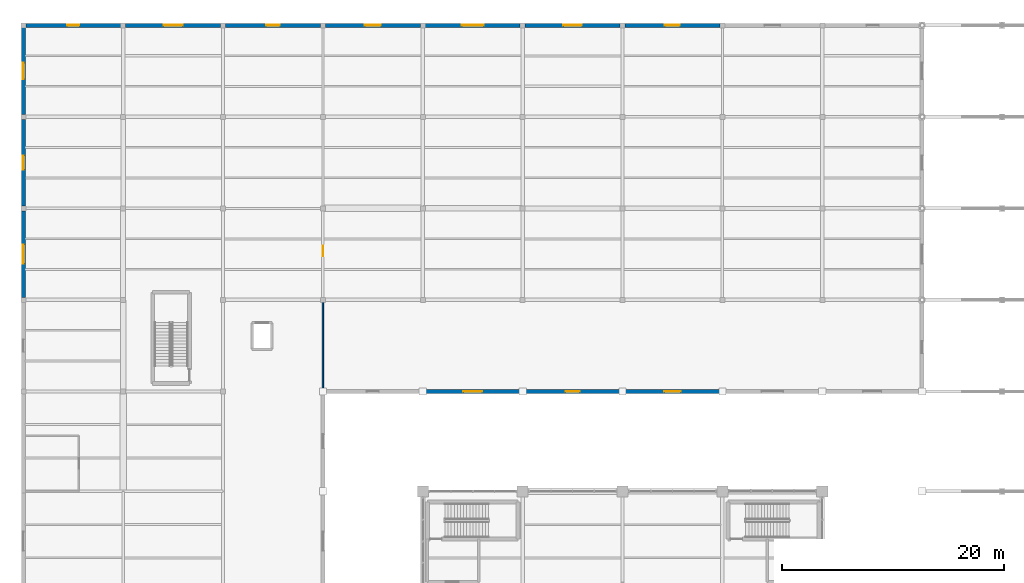
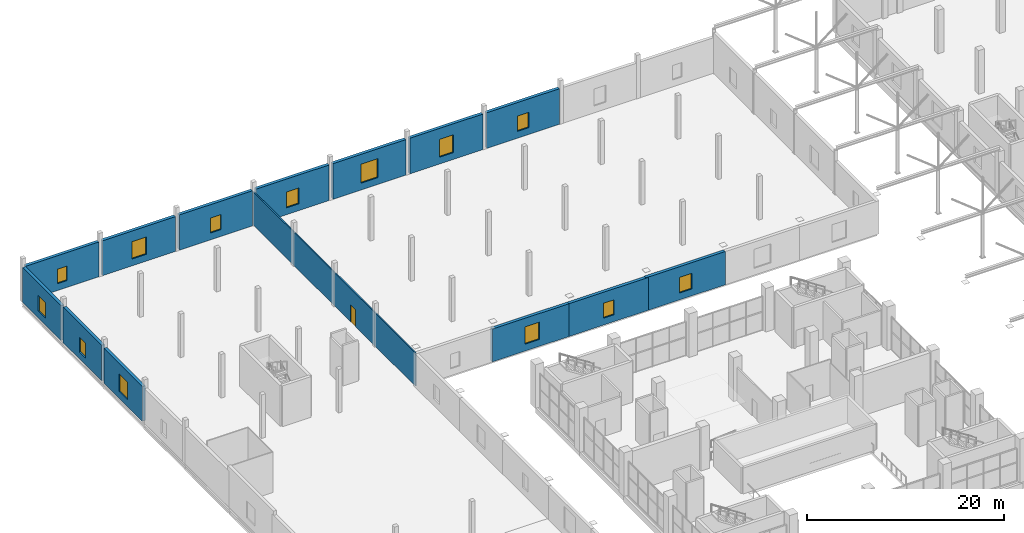
# One storey, part 132 of 147: 14 walls, 13 windows, 1 door, 14 openings.
"""IFC4 building model written with IfcOpenShell, lengths in metres."""

from ifc_helpers import new_model, si_unit, direction, frame, frame_2d, origin, place, context, subcontext, project, spatial, rectangle, extrude, material, layer, layer_set, type_object, element, fill, save


model = new_model("IFC4")

# Units and contexts
model_context = context("Model", 3, precision=1e-05, world=origin(), true_north=direction((0.0, 1.0)))
body_context = subcontext(model_context, "Body", "Model", "MODEL_VIEW")
ifc_project = project(units=[si_unit("LENGTHUNIT", "METRE"), si_unit("AREAUNIT", "SQUARE_METRE"), si_unit("VOLUMEUNIT", "CUBIC_METRE"), si_unit("PLANEANGLEUNIT", "RADIAN"), si_unit("MASSUNIT", "GRAM", prefix="KILO")], contexts=[model_context])

# Site, building, storey
site_placement = place(None, origin())
site = spatial("IfcSite", under=ifc_project, at=site_placement, CompositionType="ELEMENT")
building_placement = place(site_placement, origin())
building = spatial("IfcBuilding", under=site, at=building_placement, Name="Sundgate Opera House", CompositionType="ELEMENT")
storey_placement = place(building_placement, frame((0.0, 0.0, 6.0)))
storey = spatial("IfcBuildingStorey", under=building, at=storey_placement, Name="L01", CompositionType="ELEMENT", Elevation=6.0)

# Wall, opening, window
ifc_material_1 = material(Name="Scanian red-brown facing brick masonry", Category="masonry")
ifc_layer_1 = layer(ifc_material_1, 0.360107421875)
ifc_layer_set_1 = layer_set([ifc_layer_1], Name="Scanian red-brown facing brick masonry")
wall_type_1 = type_object("IfcWallType", Name="WL-EXT-BRICK-360", PredefinedType="SOLIDWALL", material=ifc_layer_set_1)
wall_1_placement = place(storey_placement, frame((0.219970703125, 120.0, 0.0), z_axis=(0.0, 0.0, 1.0), x_axis=(1.0, 0.0, 0.0)))
wall_1 = element("IfcWall", 1, at=wall_1_placement, inside=storey, type_object=wall_type_1, Name="L01 Costume Wing North Wall W0376", PredefinedType="SOLIDWALL", context=body_context, shape_type="SweptSolid", body=[
    extrude(rectangle(XDim=8.56005859375, YDim=0.360107421875, at=frame_2d((4.280029296875, 0.0))), origin(), (0.0, 0.0, 1.0), 4.31494140625),
])
opening_1_placement = place(wall_1_placement, frame((3.72998046875, 0.0, 0.85009765625)))
opening_1 = element("IfcOpeningElement", 2, at=opening_1_placement, cuts=wall_1, Name="Opening W12", PredefinedType="OPENING", context=body_context, shape_type="SweptSolid", body=[
    extrude(rectangle(XDim=1.10009765625, YDim=1.800048828125, at=frame_2d((0.550048828125, 0.89990234375))), frame((0.0, 0.18994140625, 0.0), z_axis=(0.0, -1.0, 0.0), x_axis=(1.0, 0.0, 0.0)), (0.0, 0.0, 1.0), 0.380126953125),
])
ifc_material_2 = material(Name="Low-iron triple glazing in patinated bronze frame", Category="glass")
window_type_1 = type_object("IfcWindowType", Name="WN-STAGE-1100x1800", PartitioningType="SINGLE_PANEL", PredefinedType="WINDOW", material=ifc_material_2)
window_1_placement = place(opening_1_placement, origin())
window_1 = element("IfcWindow", 3, at=window_1_placement, inside=storey, type_object=window_type_1, Name="L01 Costume Pavilion Window WN0290", OverallHeight=1.800048828125, OverallWidth=1.10009765625, PartitioningType="SINGLE_PANEL", PredefinedType="WINDOW", context=body_context, shape_type="SweptSolid", body=[
    extrude(rectangle(XDim=1.10009765625, YDim=1.800048828125, at=frame_2d((0.550048828125, 0.89990234375))), frame((0.0, 0.030029296875, 0.0), z_axis=(0.0, -1.0, 0.0), x_axis=(1.0, 0.0, 0.0)), (0.0, 0.0, 1.0), 0.06005859375),
])
fill(opening_1, window_1)

wall_2_placement = place(storey_placement, frame((9.219970703125, 120.0, 0.0), z_axis=(0.0, 0.0, 1.0), x_axis=(1.0, 0.0, 0.0)))
wall_2 = element("IfcWall", 4, at=wall_2_placement, inside=storey, type_object=wall_type_1, Name="L01 Costume Wing North Wall W0377", PredefinedType="SOLIDWALL", context=body_context, shape_type="SweptSolid", body=[
    extrude(rectangle(XDim=8.56005859375, YDim=0.360107421875, at=frame_2d((4.280029296875, 0.0))), origin(), (0.0, 0.0, 1.0), 4.31494140625),
])
opening_2_placement = place(wall_2_placement, frame((3.429931640625, 0.0, 0.85009765625)))
opening_2 = element("IfcOpeningElement", 5, at=opening_2_placement, cuts=wall_2, Name="Opening W13", PredefinedType="OPENING", context=body_context, shape_type="SweptSolid", body=[
    extrude(rectangle(XDim=1.699951171875, YDim=2.14990234375, at=frame_2d((0.85009765625, 1.074951171875))), frame((0.0, 0.18994140625, 0.0), z_axis=(0.0, -1.0, 0.0), x_axis=(1.0, 0.0, 0.0)), (0.0, 0.0, 1.0), 0.380126953125),
])
ifc_material_3 = material(Name="Low-iron triple glazing in patinated bronze frame", Category="glass")
window_type_2 = type_object("IfcWindowType", Name="WN-GALL-1700x2150", PartitioningType="SINGLE_PANEL", PredefinedType="WINDOW", material=ifc_material_3)
window_2_placement = place(opening_2_placement, origin())
window_2 = element("IfcWindow", 6, at=window_2_placement, inside=storey, type_object=window_type_2, Name="L01 Costume Pavilion Window WN0291", OverallHeight=2.14990234375, OverallWidth=1.699951171875, PartitioningType="SINGLE_PANEL", PredefinedType="WINDOW", context=body_context, shape_type="SweptSolid", body=[
    extrude(rectangle(XDim=1.699951171875, YDim=2.14990234375, at=frame_2d((0.85009765625, 1.074951171875))), frame((0.0, 0.030029296875, 0.0), z_axis=(0.0, -1.0, 0.0), x_axis=(1.0, 0.0, 0.0)), (0.0, 0.0, 1.0), 0.06005859375),
])
fill(opening_2, window_2)

wall_3_placement = place(storey_placement, frame((18.219970703125, 120.0, 0.0), z_axis=(0.0, 0.0, 1.0), x_axis=(1.0, 0.0, 0.0)))
wall_3 = element("IfcWall", 7, at=wall_3_placement, inside=storey, type_object=wall_type_1, Name="L01 Costume Wing North Wall W0378", PredefinedType="SOLIDWALL", context=body_context, shape_type="SweptSolid", body=[
    extrude(rectangle(XDim=8.56005859375, YDim=0.360107421875, at=frame_2d((4.280029296875, 0.0))), origin(), (0.0, 0.0, 1.0), 4.364990234375),
])
opening_3_placement = place(wall_3_placement, frame((3.655029296875, 0.0, 0.85009765625)))
opening_3 = element("IfcOpeningElement", 8, at=opening_3_placement, cuts=wall_3, Name="Opening W14", PredefinedType="OPENING", context=body_context, shape_type="SweptSolid", body=[
    extrude(rectangle(XDim=1.25, YDim=1.85009765625, at=frame_2d((0.625, 0.925048828125))), frame((0.0, 0.18994140625, 0.0), z_axis=(0.0, -1.0, 0.0), x_axis=(1.0, 0.0, 0.0)), (0.0, 0.0, 1.0), 0.380126953125),
])
ifc_material_4 = material(Name="Low-iron triple glazing in patinated bronze frame", Category="glass")
window_type_3 = type_object("IfcWindowType", Name="WN-DRES-1250x1850", PartitioningType="SINGLE_PANEL", PredefinedType="WINDOW", material=ifc_material_4)
window_3_placement = place(opening_3_placement, origin())
window_3 = element("IfcWindow", 9, at=window_3_placement, inside=storey, type_object=window_type_3, Name="L01 Costume Pavilion Window WN0292", OverallHeight=1.85009765625, OverallWidth=1.25, PartitioningType="SINGLE_PANEL", PredefinedType="WINDOW", context=body_context, shape_type="SweptSolid", body=[
    extrude(rectangle(XDim=1.25, YDim=1.85009765625, at=frame_2d((0.625, 0.925048828125))), frame((0.0, 0.030029296875, 0.0), z_axis=(0.0, -1.0, 0.0), x_axis=(1.0, 0.0, 0.0)), (0.0, 0.0, 1.0), 0.06005859375),
])
fill(opening_3, window_3)

wall_4_placement = place(storey_placement, frame((27.219970703125, 120.0, 0.0), z_axis=(0.0, 0.0, 1.0), x_axis=(1.0, 0.0, 0.0)))
wall_4 = element("IfcWall", 10, at=wall_4_placement, inside=storey, type_object=wall_type_1, Name="L01 Costume Wing North Wall W0379", PredefinedType="SOLIDWALL", context=body_context, shape_type="SweptSolid", body=[
    extrude(rectangle(XDim=8.56005859375, YDim=0.360107421875, at=frame_2d((4.280029296875, 0.0))), origin(), (0.0, 0.0, 1.0), 4.4150390625),
])
opening_4_placement = place(wall_4_placement, frame((3.554931640625, 0.0, 0.85009765625)))
opening_4 = element("IfcOpeningElement", 11, at=opening_4_placement, cuts=wall_4, Name="Opening W15", PredefinedType="OPENING", context=body_context, shape_type="SweptSolid", body=[
    extrude(rectangle(XDim=1.449951171875, YDim=1.949951171875, at=frame_2d((0.72509765625, 0.97509765625))), frame((0.0, 0.18994140625, 0.0), z_axis=(0.0, -1.0, 0.0), x_axis=(1.0, 0.0, 0.0)), (0.0, 0.0, 1.0), 0.380126953125),
])
ifc_material_5 = material(Name="Low-iron triple glazing in patinated bronze frame", Category="glass")
window_type_4 = type_object("IfcWindowType", Name="WN-LIBR-1450x1950", PartitioningType="SINGLE_PANEL", PredefinedType="WINDOW", material=ifc_material_5)
window_4_placement = place(opening_4_placement, origin())
window_4 = element("IfcWindow", 12, at=window_4_placement, inside=storey, type_object=window_type_4, Name="L01 Costume Pavilion Window WN0293", OverallHeight=1.949951171875, OverallWidth=1.449951171875, PartitioningType="SINGLE_PANEL", PredefinedType="WINDOW", context=body_context, shape_type="SweptSolid", body=[
    extrude(rectangle(XDim=1.449951171875, YDim=1.949951171875, at=frame_2d((0.72509765625, 0.97509765625))), frame((0.0, 0.030029296875, 0.0), z_axis=(0.0, -1.0, 0.0), x_axis=(1.0, 0.0, 0.0)), (0.0, 0.0, 1.0), 0.06005859375),
])
fill(opening_4, window_4)

wall_5_placement = place(storey_placement, frame((36.219970703125, 120.0, 0.0), z_axis=(0.0, 0.0, 1.0), x_axis=(1.0, 0.0, 0.0)))
wall_5 = element("IfcWall", 13, at=wall_5_placement, inside=storey, type_object=wall_type_1, Name="L01 Costume Wing North Wall W0380", PredefinedType="SOLIDWALL", context=body_context, shape_type="SweptSolid", body=[
    extrude(rectangle(XDim=8.56005859375, YDim=0.360107421875, at=frame_2d((4.280029296875, 0.0))), origin(), (0.0, 0.0, 1.0), 4.4150390625),
])
opening_5_placement = place(wall_5_placement, frame((3.304931640625, 0.0, 0.85009765625)))
opening_5 = element("IfcOpeningElement", 14, at=opening_5_placement, cuts=wall_5, Name="Opening W16", PredefinedType="OPENING", context=body_context, shape_type="SweptSolid", body=[
    extrude(rectangle(XDim=1.949951171875, YDim=2.35009765625, at=frame_2d((0.97509765625, 1.175048828125))), frame((0.0, 0.18994140625, 0.0), z_axis=(0.0, -1.0, 0.0), x_axis=(1.0, 0.0, 0.0)), (0.0, 0.0, 1.0), 0.380126953125),
])
ifc_material_6 = material(Name="Low-iron triple glazing in patinated bronze frame", Category="glass")
window_type_5 = type_object("IfcWindowType", Name="WN-REHR-1950x2350", PartitioningType="SINGLE_PANEL", PredefinedType="WINDOW", material=ifc_material_6)
window_5_placement = place(opening_5_placement, origin())
window_5 = element("IfcWindow", 15, at=window_5_placement, inside=storey, type_object=window_type_5, Name="L01 Costume Pavilion Window WN0294", OverallHeight=2.35009765625, OverallWidth=1.949951171875, PartitioningType="SINGLE_PANEL", PredefinedType="WINDOW", context=body_context, shape_type="SweptSolid", body=[
    extrude(rectangle(XDim=1.949951171875, YDim=2.35009765625, at=frame_2d((0.97509765625, 1.175048828125))), frame((0.0, 0.030029296875, 0.0), z_axis=(0.0, -1.0, 0.0), x_axis=(1.0, 0.0, 0.0)), (0.0, 0.0, 1.0), 0.06005859375),
])
fill(opening_5, window_5)

wall_6_placement = place(storey_placement, frame((45.219970703125, 120.0, 0.0), z_axis=(0.0, 0.0, 1.0), x_axis=(1.0, 0.0, 0.0)))
wall_6 = element("IfcWall", 16, at=wall_6_placement, inside=storey, type_object=wall_type_1, Name="L01 Costume Wing North Wall W0381", PredefinedType="SOLIDWALL", context=body_context, shape_type="SweptSolid", body=[
    extrude(rectangle(XDim=8.56005859375, YDim=0.360107421875, at=frame_2d((4.280029296875, 0.0))), origin(), (0.0, 0.0, 1.0), 4.4150390625),
])
opening_6_placement = place(wall_6_placement, frame((3.455078125, 0.0, 0.85009765625)))
opening_6 = element("IfcOpeningElement", 17, at=opening_6_placement, cuts=wall_6, Name="Opening W09", PredefinedType="OPENING", context=body_context, shape_type="SweptSolid", body=[
    extrude(rectangle(XDim=1.64990234375, YDim=2.199951171875, at=frame_2d((0.824951171875, 1.10009765625))), frame((0.0, 0.18994140625, 0.0), z_axis=(0.0, -1.0, 0.0), x_axis=(1.0, 0.0, 0.0)), (0.0, 0.0, 1.0), 0.380126953125),
])
ifc_material_7 = material(Name="Low-iron triple glazing in patinated bronze frame", Category="glass")
window_type_6 = type_object("IfcWindowType", Name="WN-COST-1650x2200", PartitioningType="SINGLE_PANEL", PredefinedType="WINDOW", material=ifc_material_7)
window_6_placement = place(opening_6_placement, origin())
window_6 = element("IfcWindow", 18, at=window_6_placement, inside=storey, type_object=window_type_6, Name="L01 Costume Pavilion Window WN0295", OverallHeight=2.199951171875, OverallWidth=1.64990234375, PartitioningType="SINGLE_PANEL", PredefinedType="WINDOW", context=body_context, shape_type="SweptSolid", body=[
    extrude(rectangle(XDim=1.64990234375, YDim=2.199951171875, at=frame_2d((0.824951171875, 1.10009765625))), frame((0.0, 0.030029296875, 0.0), z_axis=(0.0, -1.0, 0.0), x_axis=(1.0, 0.0, 0.0)), (0.0, 0.0, 1.0), 0.06005859375),
])
fill(opening_6, window_6)

wall_7_placement = place(storey_placement, frame((54.219970703125, 120.0, 0.0), z_axis=(0.0, 0.0, 1.0), x_axis=(1.0, 0.0, 0.0)))
wall_7 = element("IfcWall", 19, at=wall_7_placement, inside=storey, type_object=wall_type_1, Name="L01 Costume Wing North Wall W0382", PredefinedType="SOLIDWALL", context=body_context, shape_type="SweptSolid", body=[
    extrude(rectangle(XDim=8.56005859375, YDim=0.360107421875, at=frame_2d((4.280029296875, 0.0))), origin(), (0.0, 0.0, 1.0), 4.4150390625),
])
opening_7_placement = place(wall_7_placement, frame((3.60498046875, 0.0, 0.85009765625)))
opening_7 = element("IfcOpeningElement", 20, at=opening_7_placement, cuts=wall_7, Name="Opening W10", PredefinedType="OPENING", context=body_context, shape_type="SweptSolid", body=[
    extrude(rectangle(XDim=1.35009765625, YDim=1.89990234375, at=frame_2d((0.675048828125, 0.949951171875))), frame((0.0, 0.18994140625, 0.0), z_axis=(0.0, -1.0, 0.0), x_axis=(1.0, 0.0, 0.0)), (0.0, 0.0, 1.0), 0.380126953125),
])
ifc_material_8 = material(Name="Low-iron triple glazing in patinated bronze frame", Category="glass")
window_type_7 = type_object("IfcWindowType", Name="WN-COST-1350x1900", PartitioningType="SINGLE_PANEL", PredefinedType="WINDOW", material=ifc_material_8)
window_7_placement = place(opening_7_placement, origin())
window_7 = element("IfcWindow", 21, at=window_7_placement, inside=storey, type_object=window_type_7, Name="L01 Costume Pavilion Window WN0296", OverallHeight=1.89990234375, OverallWidth=1.35009765625, PartitioningType="SINGLE_PANEL", PredefinedType="WINDOW", context=body_context, shape_type="SweptSolid", body=[
    extrude(rectangle(XDim=1.35009765625, YDim=1.89990234375, at=frame_2d((0.675048828125, 0.949951171875))), frame((0.0, 0.030029296875, 0.0), z_axis=(0.0, -1.0, 0.0), x_axis=(1.0, 0.0, 0.0)), (0.0, 0.0, 1.0), 0.06005859375),
])
fill(opening_7, window_7)

wall_8_placement = place(storey_placement, frame((0.0, 103.280029296875, 0.0), z_axis=(0.0, 0.0, 1.0), x_axis=(0.0, -1.0, 0.0)))
wall_8 = element("IfcWall", 22, at=wall_8_placement, inside=storey, type_object=wall_type_1, Name="L01 Costume Wing West Wall W0386", PredefinedType="SOLIDWALL", context=body_context, shape_type="SweptSolid", body=[
    extrude(rectangle(XDim=7.81005859375, YDim=0.360107421875, at=frame_2d((3.905029296875, 0.0))), origin(), (0.0, 0.0, 1.0), 4.31494140625),
])
opening_8_placement = place(wall_8_placement, frame((3.054931640625, 0.0, 0.85009765625)))
opening_8 = element("IfcOpeningElement", 23, at=opening_8_placement, cuts=wall_8, Name="Opening W13", PredefinedType="OPENING", context=body_context, shape_type="SweptSolid", body=[
    extrude(rectangle(XDim=1.699951171875, YDim=2.14990234375, at=frame_2d((0.85009765625, 1.074951171875))), frame((0.0, 0.18994140625, 0.0), z_axis=(0.0, -1.0, 0.0), x_axis=(1.0, 0.0, 0.0)), (0.0, 0.0, 1.0), 0.380126953125),
])
window_8_placement = place(opening_8_placement, origin())
window_8 = element("IfcWindow", 24, at=window_8_placement, inside=storey, type_object=window_type_2, Name="L01 Costume Pavilion Window WN0300", OverallHeight=2.14990234375, OverallWidth=1.699951171875, PartitioningType="SINGLE_PANEL", PredefinedType="WINDOW", context=body_context, shape_type="SweptSolid", body=[
    extrude(rectangle(XDim=1.699951171875, YDim=2.14990234375, at=frame_2d((0.85009765625, 1.074951171875))), frame((0.0, 0.030029296875, 0.0), z_axis=(0.0, -1.0, 0.0), x_axis=(1.0, 0.0, 0.0)), (0.0, 0.0, 1.0), 0.06005859375),
])
fill(opening_8, window_8)

wall_9_placement = place(storey_placement, frame((0.0, 111.530029296875, 0.0), z_axis=(0.0, 0.0, 1.0), x_axis=(0.0, -1.0, 0.0)))
wall_9 = element("IfcWall", 25, at=wall_9_placement, inside=storey, type_object=wall_type_1, Name="L01 Costume Wing West Wall W0387", PredefinedType="SOLIDWALL", context=body_context, shape_type="SweptSolid", body=[
    extrude(rectangle(XDim=7.81005859375, YDim=0.360107421875, at=frame_2d((3.905029296875, 0.0))), origin(), (0.0, 0.0, 1.0), 4.4150390625),
])
opening_9_placement = place(wall_9_placement, frame((3.280029296875, 0.0, 0.85009765625)))
opening_9 = element("IfcOpeningElement", 26, at=opening_9_placement, cuts=wall_9, Name="Opening W14", PredefinedType="OPENING", context=body_context, shape_type="SweptSolid", body=[
    extrude(rectangle(XDim=1.25, YDim=1.85009765625, at=frame_2d((0.625, 0.925048828125))), frame((0.0, 0.18994140625, 0.0), z_axis=(0.0, -1.0, 0.0), x_axis=(1.0, 0.0, 0.0)), (0.0, 0.0, 1.0), 0.380126953125),
])
window_9_placement = place(opening_9_placement, origin())
window_9 = element("IfcWindow", 27, at=window_9_placement, inside=storey, type_object=window_type_3, Name="L01 Costume Pavilion Window WN0301", OverallHeight=1.85009765625, OverallWidth=1.25, PartitioningType="SINGLE_PANEL", PredefinedType="WINDOW", context=body_context, shape_type="SweptSolid", body=[
    extrude(rectangle(XDim=1.25, YDim=1.85009765625, at=frame_2d((0.625, 0.925048828125))), frame((0.0, 0.030029296875, 0.0), z_axis=(0.0, -1.0, 0.0), x_axis=(1.0, 0.0, 0.0)), (0.0, 0.0, 1.0), 0.06005859375),
])
fill(opening_9, window_9)

wall_10_placement = place(storey_placement, frame((0.0, 119.780029296875, 0.0), z_axis=(0.0, 0.0, 1.0), x_axis=(0.0, -1.0, 0.0)))
wall_10 = element("IfcWall", 28, at=wall_10_placement, inside=storey, type_object=wall_type_1, Name="L01 Costume Wing West Wall W0388", PredefinedType="SOLIDWALL", context=body_context, shape_type="SweptSolid", body=[
    extrude(rectangle(XDim=7.81005859375, YDim=0.360107421875, at=frame_2d((3.905029296875, 0.0))), origin(), (0.0, 0.0, 1.0), 4.31494140625),
])
opening_10_placement = place(wall_10_placement, frame((3.179931640625, 0.0, 0.85009765625)))
opening_10 = element("IfcOpeningElement", 29, at=opening_10_placement, cuts=wall_10, Name="Opening W15", PredefinedType="OPENING", context=body_context, shape_type="SweptSolid", body=[
    extrude(rectangle(XDim=1.449951171875, YDim=1.949951171875, at=frame_2d((0.72509765625, 0.97509765625))), frame((0.0, 0.18994140625, 0.0), z_axis=(0.0, -1.0, 0.0), x_axis=(1.0, 0.0, 0.0)), (0.0, 0.0, 1.0), 0.380126953125),
])
window_10_placement = place(opening_10_placement, origin())
window_10 = element("IfcWindow", 30, at=window_10_placement, inside=storey, type_object=window_type_4, Name="L01 Costume Pavilion Window WN0302", OverallHeight=1.949951171875, OverallWidth=1.449951171875, PartitioningType="SINGLE_PANEL", PredefinedType="WINDOW", context=body_context, shape_type="SweptSolid", body=[
    extrude(rectangle(XDim=1.449951171875, YDim=1.949951171875, at=frame_2d((0.72509765625, 0.97509765625))), frame((0.0, 0.030029296875, 0.0), z_axis=(0.0, -1.0, 0.0), x_axis=(1.0, 0.0, 0.0)), (0.0, 0.0, 1.0), 0.06005859375),
])
fill(opening_10, window_10)

wall_11_placement = place(storey_placement, frame((45.159912109375, 87.0, 0.0), z_axis=(0.0, 0.0, 1.0), x_axis=(-1.0, 0.0, 0.0)))
wall_11 = element("IfcWall", 31, at=wall_11_placement, inside=storey, type_object=wall_type_1, Name="L01 Costume Wing South Wall W0400", PredefinedType="SOLIDWALL", context=body_context, shape_type="SweptSolid", body=[
    extrude(rectangle(XDim=9.31982421875, YDim=0.360107421875, at=frame_2d((4.659912109375, 0.0))), origin(), (0.0, 0.0, 1.0), 4.06494140625),
])
opening_11_placement = place(wall_11_placement, frame((3.81005859375, 0.0, 0.85009765625)))
opening_11 = element("IfcOpeningElement", 32, at=opening_11_placement, cuts=wall_11, Name="Opening W13", PredefinedType="OPENING", context=body_context, shape_type="SweptSolid", body=[
    extrude(rectangle(XDim=1.699951171875, YDim=2.14990234375, at=frame_2d((0.85009765625, 1.074951171875))), frame((0.0, 0.18994140625, 0.0), z_axis=(0.0, -1.0, 0.0), x_axis=(1.0, 0.0, 0.0)), (0.0, 0.0, 1.0), 0.380126953125),
])
window_11_placement = place(opening_11_placement, origin())
window_11 = element("IfcWindow", 33, at=window_11_placement, inside=storey, type_object=window_type_2, Name="L01 Costume Pavilion Window WN0313", OverallHeight=2.14990234375, OverallWidth=1.699951171875, PartitioningType="SINGLE_PANEL", PredefinedType="WINDOW", context=body_context, shape_type="SweptSolid", body=[
    extrude(rectangle(XDim=1.699951171875, YDim=2.14990234375, at=frame_2d((0.85009765625, 1.074951171875))), frame((0.0, 0.030029296875, 0.0), z_axis=(0.0, -1.0, 0.0), x_axis=(1.0, 0.0, 0.0)), (0.0, 0.0, 1.0), 0.06005859375),
])
fill(opening_11, window_11)

wall_12_placement = place(storey_placement, frame((54.159912109375, 87.0, 0.0), z_axis=(0.0, 0.0, 1.0), x_axis=(-1.0, 0.0, 0.0)))
wall_12 = element("IfcWall", 34, at=wall_12_placement, inside=storey, type_object=wall_type_1, Name="L01 Costume Wing South Wall W0401", PredefinedType="SOLIDWALL", context=body_context, shape_type="SweptSolid", body=[
    extrude(rectangle(XDim=9.31982421875, YDim=0.360107421875, at=frame_2d((4.659912109375, 0.0))), origin(), (0.0, 0.0, 1.0), 4.06494140625),
])
opening_12_placement = place(wall_12_placement, frame((4.034912109375, 0.0, 0.85009765625)))
opening_12 = element("IfcOpeningElement", 35, at=opening_12_placement, cuts=wall_12, Name="Opening W14", PredefinedType="OPENING", context=body_context, shape_type="SweptSolid", body=[
    extrude(rectangle(XDim=1.25, YDim=1.85009765625, at=frame_2d((0.625, 0.925048828125))), frame((0.0, 0.18994140625, 0.0), z_axis=(0.0, -1.0, 0.0), x_axis=(1.0, 0.0, 0.0)), (0.0, 0.0, 1.0), 0.380126953125),
])
window_12_placement = place(opening_12_placement, origin())
window_12 = element("IfcWindow", 36, at=window_12_placement, inside=storey, type_object=window_type_3, Name="L01 Costume Pavilion Window WN0314", OverallHeight=1.85009765625, OverallWidth=1.25, PartitioningType="SINGLE_PANEL", PredefinedType="WINDOW", context=body_context, shape_type="SweptSolid", body=[
    extrude(rectangle(XDim=1.25, YDim=1.85009765625, at=frame_2d((0.625, 0.925048828125))), frame((0.0, 0.030029296875, 0.0), z_axis=(0.0, -1.0, 0.0), x_axis=(1.0, 0.0, 0.0)), (0.0, 0.0, 1.0), 0.06005859375),
])
fill(opening_12, window_12)

wall_13_placement = place(storey_placement, frame((63.159912109375, 87.0, 0.0), z_axis=(0.0, 0.0, 1.0), x_axis=(-1.0, 0.0, 0.0)))
wall_13 = element("IfcWall", 37, at=wall_13_placement, inside=storey, type_object=wall_type_1, Name="L01 Costume Wing South Wall W0402", PredefinedType="SOLIDWALL", context=body_context, shape_type="SweptSolid", body=[
    extrude(rectangle(XDim=9.31982421875, YDim=0.360107421875, at=frame_2d((4.659912109375, 0.0))), origin(), (0.0, 0.0, 1.0), 4.114990234375),
])
opening_13_placement = place(wall_13_placement, frame((3.93505859375, 0.0, 0.85009765625)))
opening_13 = element("IfcOpeningElement", 38, at=opening_13_placement, cuts=wall_13, Name="Opening W15", PredefinedType="OPENING", context=body_context, shape_type="SweptSolid", body=[
    extrude(rectangle(XDim=1.449951171875, YDim=1.949951171875, at=frame_2d((0.72509765625, 0.97509765625))), frame((0.0, 0.18994140625, 0.0), z_axis=(0.0, -1.0, 0.0), x_axis=(1.0, 0.0, 0.0)), (0.0, 0.0, 1.0), 0.380126953125),
])
window_13_placement = place(opening_13_placement, origin())
window_13 = element("IfcWindow", 39, at=window_13_placement, inside=storey, type_object=window_type_4, Name="L01 Costume Pavilion Window WN0315", OverallHeight=1.949951171875, OverallWidth=1.449951171875, PartitioningType="SINGLE_PANEL", PredefinedType="WINDOW", context=body_context, shape_type="SweptSolid", body=[
    extrude(rectangle(XDim=1.449951171875, YDim=1.949951171875, at=frame_2d((0.72509765625, 0.97509765625))), frame((0.0, 0.030029296875, 0.0), z_axis=(0.0, -1.0, 0.0), x_axis=(1.0, 0.0, 0.0)), (0.0, 0.0, 1.0), 0.06005859375),
])
fill(opening_13, window_13)

# Wall, opening, door
ifc_material_9 = material(Name="General studio partition", Category="gypsum")
ifc_layer_2 = layer(ifc_material_9, 0.14501953125)
ifc_layer_set_2 = layer_set([ifc_layer_2], Name="General studio partition")
wall_type_2 = type_object("IfcWallType", Name="WL-INT-PART-145", PredefinedType="PARTITIONING", material=ifc_layer_set_2)
wall_14_placement = place(storey_placement, frame((27.0, 87.0, 0.0), z_axis=(0.0, 0.0, 1.0), x_axis=(0.0, 1.0, 0.0)))
wall_14 = element("IfcWall", 40, at=wall_14_placement, inside=storey, type_object=wall_type_2, Name="L01 Interior Partition W1049", PredefinedType="PARTITIONING", context=body_context, shape_type="SweptSolid", body=[
    extrude(rectangle(XDim=33.0, YDim=0.14501953125, at=frame_2d((16.5, 0.0))), origin(), (0.0, 0.0, 1.0), 4.114990234375),
])
opening_14_placement = place(wall_14_placement, frame((12.178955078125, 0.0, 0.0)))
opening_14 = element("IfcOpeningElement", 41, at=opening_14_placement, cuts=wall_14, Name="Opening DI11", PredefinedType="OPENING", context=body_context, shape_type="SweptSolid", body=[
    extrude(rectangle(XDim=0.949951171875, YDim=2.10009765625, at=frame_2d((0.47509765625, 1.050048828125))), frame((0.0, 0.08251953125, 0.0), z_axis=(0.0, -1.0, 0.0), x_axis=(1.0, 0.0, 0.0)), (0.0, 0.0, 1.0), 0.1650390625),
])
ifc_material_10 = material(Name="Acoustic hardwood timber and steel core", Category="steel")
door_type = type_object("IfcDoorType", Name="DR-UNR-950x2100", OperationType="NOTDEFINED", PredefinedType="DOOR", material=ifc_material_10)
door_placement = place(opening_14_placement, origin())
door = element("IfcDoor", 42, at=door_placement, inside=storey, type_object=door_type, Name="L01 Interior Door D0213", OperationType="SINGLE_SWING_RIGHT", OverallHeight=2.10009765625, OverallWidth=0.949951171875, PredefinedType="DOOR", context=body_context, shape_type="SweptSolid", body=[
    extrude(rectangle(XDim=0.949951171875, YDim=2.10009765625, at=frame_2d((0.47509765625, 1.050048828125))), frame((0.0, 0.02490234375, 0.0), z_axis=(0.0, -1.0, 0.0), x_axis=(1.0, 0.0, 0.0)), (0.0, 0.0, 1.0), 0.050048828125),
])
fill(opening_14, door)

save(model, "model.ifc")
